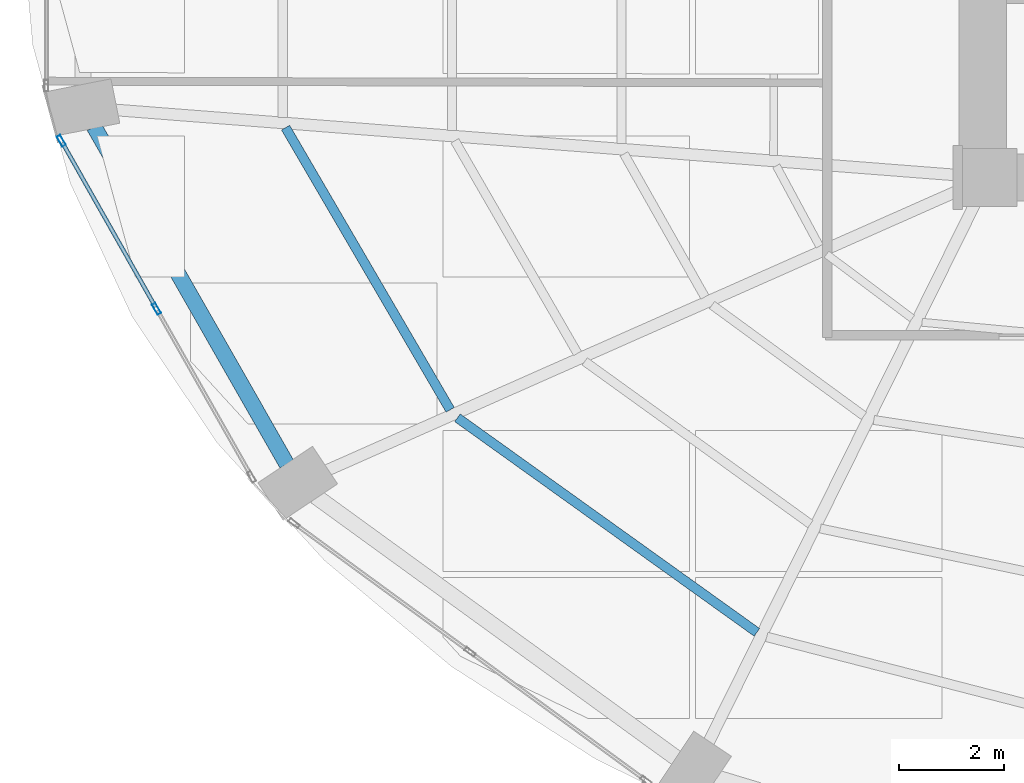
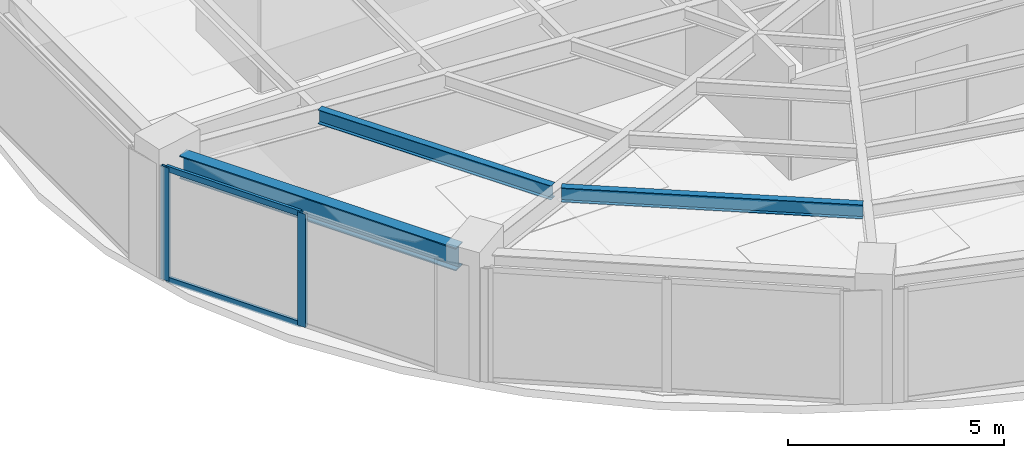
# One storey, part 3 of 24: 4 members, 3 beams, 1 element without a shape of its own.
"""IFC4 building model written with IfcOpenShell, lengths in metres."""

from ifc_helpers import new_model, si_unit, direction, frame, origin, origin_2d, place, context, subcontext, project, spatial, hollow_rectangle, i_section, extrude, material, layer, layer_set, material_profile, profile_set, type_object, element, aggregate, save


model = new_model("IFC4")

# Units and contexts
model_context = context("Model", 3, precision=1e-05, world=origin(), true_north=direction((0.0, 1.0)))
body_context = subcontext(model_context, "Body", "Model", "MODEL_VIEW")
ifc_project = project(units=[si_unit("LENGTHUNIT", "METRE"), si_unit("AREAUNIT", "SQUARE_METRE"), si_unit("VOLUMEUNIT", "CUBIC_METRE"), si_unit("PLANEANGLEUNIT", "RADIAN"), si_unit("MASSUNIT", "GRAM", prefix="KILO")], contexts=[model_context])

# Site, building, storey
site_placement = place(None, origin())
site = spatial("IfcSite", under=ifc_project, at=site_placement, CompositionType="ELEMENT")
building_placement = place(site_placement, origin())
building = spatial("IfcBuilding", under=site, at=building_placement, Name="Lazwardi Medical Tower", CompositionType="ELEMENT")
storey_placement = place(building_placement, frame((0.0, 0.0, 72.6240234375)))
storey = spatial("IfcBuildingStorey", under=building, at=storey_placement, Name="L18", CompositionType="ELEMENT", Elevation=72.6240234375)

# Beams
ifc_material_1 = material(Name="Steel S355", Category="steel")
ifc_material_profile_1 = material_profile(ifc_material_1, i_section(OverallWidth=0.300048828125, OverallDepth=0.64990234375, WebThickness=0.01611328125, FlangeThickness=0.031005859375, at=origin_2d()), Name="HEB 650")
ifc_profile_set_1 = profile_set([ifc_material_profile_1], Name="Steel S355")
beam_type_1 = type_object("IfcBeamType", Name="BM-RB-Z1", PredefinedType="BEAM", material=ifc_profile_set_1)
beam_1_placement = place(storey_placement, frame((9.408203125, 21.36767578125, 2.873046875), z_axis=(0.49581512241, -0.868428099724, 0.0), x_axis=(0.868428099724, 0.49581512241, 0.0)))
element("IfcBeam", 1, at=beam_1_placement, inside=storey, type_object=beam_type_1, Name="Ring beam RB-02 B13 L18", PredefinedType="BEAM", context=body_context, shape_type="SweptSolid", body=[
    extrude(i_section(OverallWidth=0.300048828125, OverallDepth=0.64990234375, WebThickness=0.01611328125, FlangeThickness=0.031005859375, at=origin_2d()), origin(), (0.0, 0.0, 1.0), 7.389404296875),
])
ifc_material_profile_2 = material_profile(ifc_material_1, i_section(OverallWidth=0.179931640625, OverallDepth=0.39990234375, WebThickness=0.008544921875, FlangeThickness=0.013427734375, at=origin_2d()), Name="IPE 400")
ifc_profile_set_2 = profile_set([ifc_material_profile_2], Name="Steel S355")
beam_type_2 = type_object("IfcBeamType", Name="BM-SJ-01", PredefinedType="JOIST", material=ifc_profile_set_2)
beam_2_placement = place(storey_placement, frame((13.048828125, 21.34765625, 2.998046875), z_axis=(0.503846579557, -0.863793160582, 0.0), x_axis=(0.863793160582, 0.503846579557, 0.0)))
element("IfcBeam", 2, at=beam_2_placement, inside=storey, type_object=beam_type_2, Name="Secondary joist SJ-01 R1 B13 L18", PredefinedType="JOIST", context=body_context, shape_type="SweptSolid", body=[
    extrude(i_section(OverallWidth=0.179931640625, OverallDepth=0.39990234375, WebThickness=0.008544921875, FlangeThickness=0.013427734375, at=origin_2d()), origin(), (0.0, 0.0, 1.0), 6.20947265625),
])
beam_3_placement = place(storey_placement, frame((16.31591796875, 15.83203125, 2.998046875), z_axis=(0.812901036873, -0.582401840872, 0.0), x_axis=(0.582401840872, 0.812901036873, 0.0)))
element("IfcBeam", 3, at=beam_3_placement, inside=storey, type_object=beam_type_2, Name="Secondary joist SJ-01 R1 B14 L18", PredefinedType="JOIST", context=body_context, shape_type="SweptSolid", body=[
    extrude(i_section(OverallWidth=0.179931640625, OverallDepth=0.39990234375, WebThickness=0.008544921875, FlangeThickness=0.013427734375, at=origin_2d()), origin(), (0.0, 0.0, 1.0), 7.002197265625),
])

# Curtain wall, members
ifc_material_2 = material(Name="Anodised bronze aluminium and solar control glazing", Category="aluminium")
ifc_layer = layer(ifc_material_2, 0.199951171875)
ifc_layer_set = layer_set([ifc_layer], Name="Anodised bronze aluminium and solar control glazing")
curtain_wall_type = type_object("IfcCurtainWallType", Name="CW-SYS-02", PredefinedType="NOTDEFINED", material=ifc_layer_set)
curtain_wall_placement = place(storey_placement, origin())
curtain_wall = element("IfcCurtainWall", 4, at=curtain_wall_placement, inside=storey, type_object=curtain_wall_type, Name="L18 Unitised bronze curtain wall CW-02", PredefinedType="NOTDEFINED")
ifc_material_3 = material(Name="Anodised bronze aluminium", Category="aluminium")
ifc_material_profile_3 = material_profile(ifc_material_3, hollow_rectangle(XDim=0.074951171875, YDim=0.219970703125, WallThickness=0.00390625, at=origin_2d()), Name="ALU-MULLION 220x75x4")
ifc_profile_set_3 = profile_set([ifc_material_profile_3], Name="Anodised bronze aluminium")
member_type_1 = type_object("IfcMemberType", Name="CW-MUL-01", PredefinedType="MULLION", material=ifc_profile_set_3)
member_1_placement = place(storey_placement, frame((8.785888671875, 21.09765625, 0.0), z_axis=(0.0, 0.0, 1.0), x_axis=(0.870111838823, 0.492854327303, 0.0)))
member_1 = element("IfcMember", 5, at=member_1_placement, type_object=member_type_1, Name="CW-02 mullion 1", PredefinedType="MULLION", context=body_context, shape_type="SweptSolid", body=[
    extrude(hollow_rectangle(XDim=0.074951171875, YDim=0.219970703125, WallThickness=0.00390625, at=origin_2d()), origin(), (0.0, 0.0, 1.0), 3.197998046875),
])
member_2_placement = place(storey_placement, frame((10.5947265625, 17.904541015625, 0.0), z_axis=(0.0, 0.0, 1.0), x_axis=(0.870111838823, 0.492854327303, 0.0)))
member_2 = element("IfcMember", 6, at=member_2_placement, type_object=member_type_1, Name="CW-02 mullion 2", PredefinedType="MULLION", context=body_context, shape_type="SweptSolid", body=[
    extrude(hollow_rectangle(XDim=0.074951171875, YDim=0.219970703125, WallThickness=0.00390625, at=origin_2d()), origin(), (0.0, 0.0, 1.0), 3.197998046875),
])
ifc_material_profile_4 = material_profile(ifc_material_3, hollow_rectangle(XDim=0.074951171875, YDim=0.159912109375, WallThickness=0.00390625, at=origin_2d()), Name="ALU-TRANSOM 160x75x4")
ifc_profile_set_4 = profile_set([ifc_material_profile_4], Name="Anodised bronze aluminium")
member_type_2 = type_object("IfcMemberType", Name="CW-TRN-01", PredefinedType="USERDEFINED", material=ifc_profile_set_4)
member_3_placement = place(storey_placement, frame((8.804443359375, 21.06494140625, 0.03759765625), z_axis=(0.492880614687, -0.870096948429, 0.0), x_axis=(0.870096948429, 0.492880614687, 0.0)))
member_3 = element("IfcMember", 7, at=member_3_placement, type_object=member_type_2, Name="CW-02 transom 1.1", ObjectType="TRANSOM", PredefinedType="USERDEFINED", context=body_context, shape_type="SweptSolid", body=[
    extrude(hollow_rectangle(XDim=0.074951171875, YDim=0.159912109375, WallThickness=0.00390625, at=origin_2d()), origin(), (0.0, 0.0, 1.0), 3.5947265625),
])
member_4_placement = place(storey_placement, frame((8.804443359375, 21.06494140625, 3.160400390625), z_axis=(0.492880614687, -0.870096948429, 0.0), x_axis=(0.870096948429, 0.492880614687, 0.0)))
member_4 = element("IfcMember", 8, at=member_4_placement, type_object=member_type_2, Name="CW-02 transom 1.2", ObjectType="TRANSOM", PredefinedType="USERDEFINED", context=body_context, shape_type="SweptSolid", body=[
    extrude(hollow_rectangle(XDim=0.074951171875, YDim=0.159912109375, WallThickness=0.00390625, at=origin_2d()), origin(), (0.0, 0.0, 1.0), 3.5947265625),
])
aggregate(curtain_wall, [member_1, member_2, member_3, member_4])

save(model, "model.ifc")
